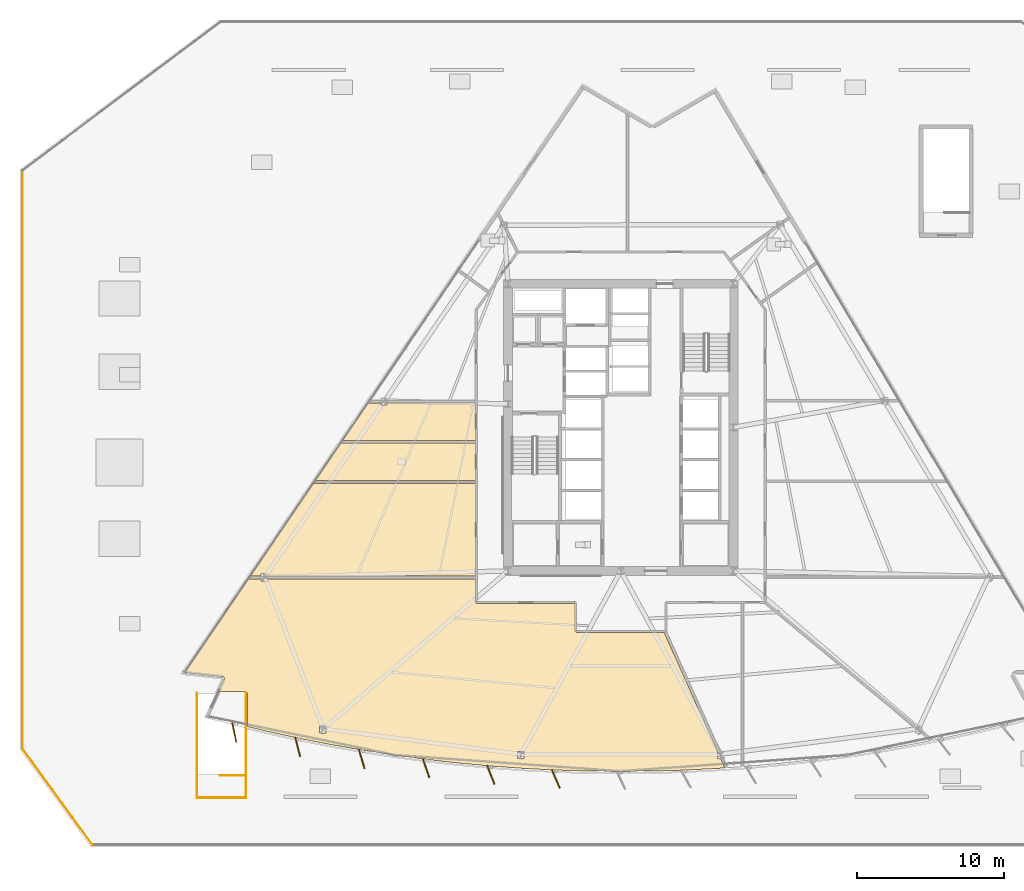
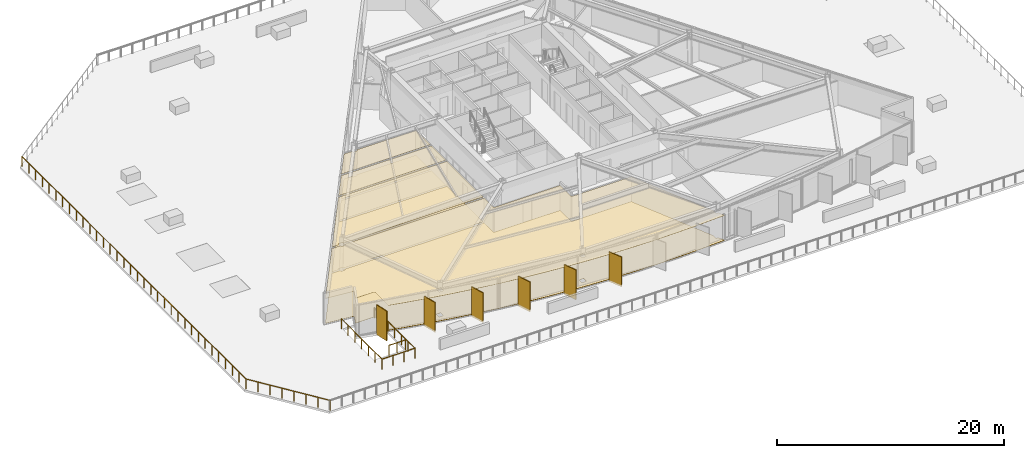
# One storey, part 13 of 19: 8 coverings, 6 railings, 6 shading devices.
"""IFC4 building model written with IfcOpenShell, lengths in metres."""

from ifc_helpers import new_model, si_unit, direction, frame, origin, origin_2d, place, context, subcontext, project, spatial, polyline, rectangle, circle, outline, extrude, material, layer, layer_set, type_object, element, save


model = new_model("IFC4")

# Units and contexts
model_context = context("Model", 3, precision=1e-05, world=origin(), true_north=direction((0.0, 1.0)))
body_context = subcontext(model_context, "Body", "Model", "MODEL_VIEW")
ifc_project = project(units=[si_unit("LENGTHUNIT", "METRE"), si_unit("AREAUNIT", "SQUARE_METRE"), si_unit("VOLUMEUNIT", "CUBIC_METRE"), si_unit("PLANEANGLEUNIT", "RADIAN"), si_unit("MASSUNIT", "GRAM", prefix="KILO")], contexts=[model_context])

# Site, building, storey
site_placement = place(None, origin())
site = spatial("IfcSite", under=ifc_project, at=site_placement, CompositionType="ELEMENT")
building_placement = place(site_placement, origin())
building = spatial("IfcBuilding", under=site, at=building_placement, Name="Savorim Split Tower", CompositionType="ELEMENT")
storey_placement = place(building_placement, frame((0.0, 0.0, 26.39990234375)))
storey = spatial("IfcBuildingStorey", under=building, at=storey_placement, Name="L06", CompositionType="ELEMENT", Elevation=26.39990234375)

# Coverings
ifc_material_1 = material(Name="Mineral Fibre Acoustic Ceiling")
ifc_layer_1 = layer(ifc_material_1, 0.02490234375)
ifc_layer_set_1 = layer_set([ifc_layer_1], Name="COV-CEIL-25")
covering_type_1 = type_object("IfcCoveringType", Name="COV-CEIL-25", PredefinedType="CEILING", material=ifc_layer_set_1)
covering_1_placement = place(storey_placement, frame((0.0, 0.0, 2.670166015625)))
element("IfcCovering", 1, at=covering_1_placement, inside=storey, type_object=covering_type_1, Name="L06 Shared Kitchen Acoustic Ceiling", PredefinedType="CEILING", context=body_context, shape_type="SweptSolid", body=[
    extrude(outline(polyline([(-19.116455078125, -0.6748046875), (-20.8583984375, -3.235595703125), (-9.919921875, -3.235595703125), (-9.919921875, -0.6748046875), (-19.116455078125, -0.6748046875)])), origin(), (0.0, 0.0, 1.0), 0.02490234375),
])
covering_2_placement = place(storey_placement, frame((0.0, 0.0, 2.670166015625)))
element("IfcCovering", 2, at=covering_2_placement, inside=storey, type_object=covering_type_1, Name="L06 Maker Workshop Acoustic Ceiling", PredefinedType="CEILING", context=body_context, shape_type="SweptSolid", body=[
    extrude(outline(polyline([(-24.12109375, -9.62255859375), (-24.12109375, -9.760498046875), (-9.919921875, -9.760498046875), (-9.919921875, -3.425537109375), (-20.98779296875, -3.425537109375), (-25.29736328125, -9.760498046875), (-24.55712890625, -9.760498046875), (-24.55712890625, -9.62255859375), (-24.12109375, -9.62255859375)])), origin(), (0.0, 0.0, 1.0), 0.02490234375),
])
covering_3_placement = place(storey_placement, frame((0.0, 0.0, 2.670166015625)))
element("IfcCovering", 3, at=covering_3_placement, inside=storey, type_object=covering_type_1, Name="L06 Co-Working Commons Acoustic Ceiling", PredefinedType="CEILING", context=body_context, shape_type="SweptSolid", body=[
    extrude(outline(polyline([(-27.05615234375, -16.739990234375), (-27.056884765625, -16.751708984375), (-27.05908203125, -16.763671875), (-27.0625, -16.77490234375), (-27.06689453125, -16.7861328125), (-27.4501953125, -17.6201171875), (-25.64990234375, -17.6201171875), (-25.63232421875, -17.620849609375), (-25.614990234375, -17.62353515625), (-25.59765625, -17.627685546875), (-25.5810546875, -17.6337890625), (-25.565185546875, -17.641357421875), (-25.550048828125, -17.650390625), (-25.535888671875, -17.660888671875), (-25.522705078125, -17.672607421875), (-25.510986328125, -17.685791015625), (-25.500244140625, -17.699951171875), (-25.4912109375, -17.715087890625), (-25.483642578125, -17.731201171875), (-25.477783203125, -17.747802734375), (-25.473388671875, -17.764892578125), (-25.470947265625, -17.782470703125), (-25.469970703125, -17.800048828125), (-25.469970703125, -20.025634765625), (-24.0849609375, -20.357666015625), (-21.927490234375, -20.82861328125), (-19.760986328125, -21.255126953125), (-17.586181640625, -21.63720703125), (-15.404296875, -21.974853515625), (-13.215576171875, -22.267578125), (-11.021484375, -22.515625), (-8.82275390625, -22.71875), (-6.6201171875, -22.876708984375), (-4.4150390625, -22.989501953125), (-2.2080078125, -23.057373046875), (0.0, -23.080078125), (2.2080078125, -23.057373046875), (4.4150390625, -22.989501953125), (6.6201171875, -22.876708984375), (7.107421875, -22.841796875), (6.81982421875, -22.201416015625), (6.601318359375, -22.201416015625), (6.601318359375, -21.735595703125), (6.610595703125, -21.735595703125), (2.966796875, -13.617919921875), (2.954345703125, -13.590087890625), (-3.0, -13.590087890625), (-3.013671875, -13.58935546875), (-3.02734375, -13.58740234375), (-3.04052734375, -13.583984375), (-3.0537109375, -13.579345703125), (-3.06591796875, -13.573486328125), (-3.077880859375, -13.56640625), (-3.0888671875, -13.55810546875), (-3.09912109375, -13.549072265625), (-3.108154296875, -13.538818359375), (-3.116455078125, -13.52783203125), (-3.12353515625, -13.51611328125), (-3.12939453125, -13.503662109375), (-3.134033203125, -13.490478515625), (-3.13720703125, -13.477294921875), (-3.139404296875, -13.463623046875), (-3.139892578125, -13.449951171875), (-3.139892578125, -11.6201171875), (-9.780029296875, -11.6201171875), (-9.793701171875, -11.619384765625), (-9.807373046875, -11.6171875), (-9.820556640625, -11.614013671875), (-9.83349609375, -11.609375), (-9.845947265625, -11.603515625), (-9.85791015625, -11.596435546875), (-9.868896484375, -11.588134765625), (-9.87890625, -11.5791015625), (-9.88818359375, -11.56884765625), (-9.896484375, -11.557861328125), (-9.903564453125, -11.5458984375), (-9.9091796875, -11.53369140625), (-9.9140625, -11.5205078125), (-9.917236328125, -11.50732421875), (-9.919189453125, -11.49365234375), (-9.919921875, -11.47998046875), (-9.919921875, -9.950439453125), (-24.12109375, -9.950439453125), (-24.12109375, -10.08837890625), (-24.55712890625, -10.08837890625), (-24.55712890625, -9.950439453125), (-25.301513671875, -9.950439453125), (-25.396484375, -9.950439453125), (-25.396484375, -9.90625), (-29.763916015625, -16.326416015625), (-27.16259765625, -16.61669921875), (-27.15087890625, -16.61865234375), (-27.139404296875, -16.62158203125), (-27.128173828125, -16.6259765625), (-27.117431640625, -16.631103515625), (-27.107421875, -16.637451171875), (-27.097900390625, -16.644775390625), (-27.08935546875, -16.653076171875), (-27.08154296875, -16.662109375), (-27.07470703125, -16.671875), (-27.068603515625, -16.68212890625), (-27.06396484375, -16.693115234375), (-27.060302734375, -16.70458984375), (-27.0576171875, -16.716064453125), (-27.056396484375, -16.72802734375), (-27.05615234375, -16.739990234375)]), holes=[polyline([(-20.56494140625, -20.464599609375), (-20.12890625, -20.464599609375), (-20.12890625, -19.998779296875), (-20.56494140625, -19.998779296875), (-20.56494140625, -20.464599609375)]), polyline([(-7.037353515625, -22.201416015625), (-6.601318359375, -22.201416015625), (-6.601318359375, -21.735595703125), (-7.037353515625, -21.735595703125), (-7.037353515625, -22.201416015625)])]), origin(), (0.0, 0.0, 1.0), 0.02490234375),
])
covering_4_placement = place(storey_placement, frame((0.0, 0.0, 2.670166015625)))
element("IfcCovering", 4, at=covering_4_placement, inside=storey, type_object=covering_type_1, Name="L06 Co-Living Bedroom Acoustic Ceiling", PredefinedType="CEILING", context=body_context, shape_type="SweptSolid", body=[
    extrude(outline(polyline([(-16.3759765625, 2.07568359375), (-17.1201171875, 2.07568359375), (-17.215087890625, 2.07568359375), (-17.215087890625, 2.1201171875), (-18.9873046875, -0.48486328125), (-9.919921875, -0.48486328125), (-9.919921875, 2.07568359375), (-15.93994140625, 2.07568359375), (-15.93994140625, 1.937744140625), (-16.3759765625, 1.937744140625), (-16.3759765625, 2.07568359375)])), origin(), (0.0, 0.0, 1.0), 0.02490234375),
])
ifc_material_2 = material(Name="Porcelain Stoneware Flooring", Category="masonry")
ifc_layer_2 = layer(ifc_material_2, 0.02001953125)
ifc_layer_set_2 = layer_set([ifc_layer_2], Name="COV-FLOR-20")
covering_type_2 = type_object("IfcCoveringType", Name="COV-FLOR-20", PredefinedType="FLOORING", material=ifc_layer_set_2)
covering_5_placement = place(storey_placement, origin())
element("IfcCovering", 5, at=covering_5_placement, inside=storey, type_object=covering_type_2, Name="L06 Shared Kitchen Porcelain Flooring", PredefinedType="FLOORING", context=body_context, shape_type="SweptSolid", body=[
    extrude(outline(polyline([(-19.116455078125, -0.6748046875), (-20.8583984375, -3.235595703125), (-9.919921875, -3.235595703125), (-9.919921875, -0.6748046875), (-19.116455078125, -0.6748046875)])), origin(), (0.0, 0.0, 1.0), 0.02001953125),
])
covering_6_placement = place(storey_placement, origin())
element("IfcCovering", 6, at=covering_6_placement, inside=storey, type_object=covering_type_2, Name="L06 Maker Workshop Porcelain Flooring", PredefinedType="FLOORING", context=body_context, shape_type="SweptSolid", body=[
    extrude(outline(polyline([(-24.12109375, -9.62255859375), (-24.12109375, -9.760498046875), (-9.919921875, -9.760498046875), (-9.919921875, -3.425537109375), (-20.98779296875, -3.425537109375), (-25.29736328125, -9.760498046875), (-24.55712890625, -9.760498046875), (-24.55712890625, -9.62255859375), (-24.12109375, -9.62255859375)])), origin(), (0.0, 0.0, 1.0), 0.02001953125),
])
covering_7_placement = place(storey_placement, origin())
element("IfcCovering", 7, at=covering_7_placement, inside=storey, type_object=covering_type_2, Name="L06 Co-Working Commons Porcelain Flooring", PredefinedType="FLOORING", context=body_context, shape_type="SweptSolid", body=[
    extrude(outline(polyline([(-27.05615234375, -16.739990234375), (-27.056884765625, -16.751708984375), (-27.05908203125, -16.763671875), (-27.0625, -16.77490234375), (-27.06689453125, -16.7861328125), (-27.4501953125, -17.6201171875), (-25.64990234375, -17.6201171875), (-25.63232421875, -17.620849609375), (-25.614990234375, -17.62353515625), (-25.59765625, -17.627685546875), (-25.5810546875, -17.6337890625), (-25.565185546875, -17.641357421875), (-25.550048828125, -17.650390625), (-25.535888671875, -17.660888671875), (-25.522705078125, -17.672607421875), (-25.510986328125, -17.685791015625), (-25.500244140625, -17.699951171875), (-25.4912109375, -17.715087890625), (-25.483642578125, -17.731201171875), (-25.477783203125, -17.747802734375), (-25.473388671875, -17.764892578125), (-25.470947265625, -17.782470703125), (-25.469970703125, -17.800048828125), (-25.469970703125, -20.025634765625), (-24.0849609375, -20.357666015625), (-21.927490234375, -20.82861328125), (-19.760986328125, -21.255126953125), (-17.586181640625, -21.63720703125), (-15.404296875, -21.974853515625), (-13.215576171875, -22.267578125), (-11.021484375, -22.515625), (-8.82275390625, -22.71875), (-6.6201171875, -22.876708984375), (-4.4150390625, -22.989501953125), (-2.2080078125, -23.057373046875), (0.0, -23.080078125), (2.2080078125, -23.057373046875), (4.4150390625, -22.989501953125), (6.6201171875, -22.876708984375), (7.107421875, -22.841796875), (6.81982421875, -22.201416015625), (6.601318359375, -22.201416015625), (6.601318359375, -21.735595703125), (6.610595703125, -21.735595703125), (2.966796875, -13.617919921875), (2.954345703125, -13.590087890625), (-3.0, -13.590087890625), (-3.013671875, -13.58935546875), (-3.02734375, -13.58740234375), (-3.04052734375, -13.583984375), (-3.0537109375, -13.579345703125), (-3.06591796875, -13.573486328125), (-3.077880859375, -13.56640625), (-3.0888671875, -13.55810546875), (-3.09912109375, -13.549072265625), (-3.108154296875, -13.538818359375), (-3.116455078125, -13.52783203125), (-3.12353515625, -13.51611328125), (-3.12939453125, -13.503662109375), (-3.134033203125, -13.490478515625), (-3.13720703125, -13.477294921875), (-3.139404296875, -13.463623046875), (-3.139892578125, -13.449951171875), (-3.139892578125, -11.6201171875), (-9.780029296875, -11.6201171875), (-9.793701171875, -11.619384765625), (-9.807373046875, -11.6171875), (-9.820556640625, -11.614013671875), (-9.83349609375, -11.609375), (-9.845947265625, -11.603515625), (-9.85791015625, -11.596435546875), (-9.868896484375, -11.588134765625), (-9.87890625, -11.5791015625), (-9.88818359375, -11.56884765625), (-9.896484375, -11.557861328125), (-9.903564453125, -11.5458984375), (-9.9091796875, -11.53369140625), (-9.9140625, -11.5205078125), (-9.917236328125, -11.50732421875), (-9.919189453125, -11.49365234375), (-9.919921875, -11.47998046875), (-9.919921875, -9.950439453125), (-24.12109375, -9.950439453125), (-24.12109375, -10.08837890625), (-24.55712890625, -10.08837890625), (-24.55712890625, -9.950439453125), (-25.301513671875, -9.950439453125), (-25.396484375, -9.950439453125), (-25.396484375, -9.90625), (-29.763916015625, -16.326416015625), (-27.16259765625, -16.61669921875), (-27.15087890625, -16.61865234375), (-27.139404296875, -16.62158203125), (-27.128173828125, -16.6259765625), (-27.117431640625, -16.631103515625), (-27.107421875, -16.637451171875), (-27.097900390625, -16.644775390625), (-27.08935546875, -16.653076171875), (-27.08154296875, -16.662109375), (-27.07470703125, -16.671875), (-27.068603515625, -16.68212890625), (-27.06396484375, -16.693115234375), (-27.060302734375, -16.70458984375), (-27.0576171875, -16.716064453125), (-27.056396484375, -16.72802734375), (-27.05615234375, -16.739990234375)]), holes=[polyline([(-20.56494140625, -20.464599609375), (-20.12890625, -20.464599609375), (-20.12890625, -19.998779296875), (-20.56494140625, -19.998779296875), (-20.56494140625, -20.464599609375)]), polyline([(-7.037353515625, -22.201416015625), (-6.601318359375, -22.201416015625), (-6.601318359375, -21.735595703125), (-7.037353515625, -21.735595703125), (-7.037353515625, -22.201416015625)])]), origin(), (0.0, 0.0, 1.0), 0.02001953125),
])
covering_8_placement = place(storey_placement, origin())
element("IfcCovering", 8, at=covering_8_placement, inside=storey, type_object=covering_type_2, Name="L06 Co-Living Bedroom Porcelain Flooring", PredefinedType="FLOORING", context=body_context, shape_type="SweptSolid", body=[
    extrude(outline(polyline([(-16.3759765625, 2.07568359375), (-17.1201171875, 2.07568359375), (-17.215087890625, 2.07568359375), (-17.215087890625, 2.1201171875), (-18.9873046875, -0.48486328125), (-9.919921875, -0.48486328125), (-9.919921875, 2.07568359375), (-15.93994140625, 2.07568359375), (-15.93994140625, 1.937744140625), (-16.3759765625, 1.937744140625), (-16.3759765625, 2.07568359375)])), origin(), (0.0, 0.0, 1.0), 0.02001953125),
])

# Railings
ifc_material_3 = material(Name="Galvanised Painted Steel Balustrade", Category="steel")
railing_type_1 = type_object("IfcRailingType", Name="RLG-BAL-1100", PredefinedType="BALUSTRADE", material=ifc_material_3)
railing_1_placement = place(storey_placement, frame((-40.8359375, 17.927978515625, 0.0)))
element("IfcRailing", 9, at=railing_1_placement, inside=storey, type_object=railing_type_1, Name="L06 Raised Public Garden Perimeter Balustrade 7", PredefinedType="BALUSTRADE", context=body_context, shape_type="SweptSolid", body=[
    extrude(circle(Radius=0.02392578125, at=origin_2d()), frame((0.0, 0.0, 1.076171875), z_axis=(0.0, -1.0, 0.0), x_axis=(1.0, 0.0, 0.0)), (0.0, 0.0, 1.0), 39.441650390625),
    extrude(circle(Radius=0.02099609375, at=origin_2d()), origin(), (0.0, 0.0, 1.0), 1.052001953125),
    extrude(circle(Radius=0.02099609375, at=origin_2d()), frame((0.0, -1.1953125, 0.0)), (0.0, 0.0, 1.0), 1.052001953125),
    extrude(circle(Radius=0.02099609375, at=origin_2d()), frame((0.0, -2.390380859375, 0.0)), (0.0, 0.0, 1.0), 1.052001953125),
    extrude(circle(Radius=0.02099609375, at=origin_2d()), frame((0.0, -3.585693359375, 0.0)), (0.0, 0.0, 1.0), 1.052001953125),
    extrude(circle(Radius=0.02099609375, at=origin_2d()), frame((0.0, -4.78076171875, 0.0)), (0.0, 0.0, 1.0), 1.052001953125),
    extrude(circle(Radius=0.02099609375, at=origin_2d()), frame((0.0, -5.97607421875, 0.0)), (0.0, 0.0, 1.0), 1.052001953125),
    extrude(circle(Radius=0.02099609375, at=origin_2d()), frame((0.0, -7.171142578125, 0.0)), (0.0, 0.0, 1.0), 1.052001953125),
    extrude(circle(Radius=0.02099609375, at=origin_2d()), frame((0.0, -8.366455078125, 0.0)), (0.0, 0.0, 1.0), 1.052001953125),
    extrude(circle(Radius=0.02099609375, at=origin_2d()), frame((0.0, -9.5615234375, 0.0)), (0.0, 0.0, 1.0), 1.052001953125),
    extrude(circle(Radius=0.02099609375, at=origin_2d()), frame((0.0, -10.7568359375, 0.0)), (0.0, 0.0, 1.0), 1.052001953125),
    extrude(circle(Radius=0.02099609375, at=origin_2d()), frame((0.0, -11.951904296875, 0.0)), (0.0, 0.0, 1.0), 1.052001953125),
    extrude(circle(Radius=0.02099609375, at=origin_2d()), frame((0.0, -13.147216796875, 0.0)), (0.0, 0.0, 1.0), 1.052001953125),
    extrude(circle(Radius=0.02099609375, at=origin_2d()), frame((0.0, -14.342529296875, 0.0)), (0.0, 0.0, 1.0), 1.052001953125),
    extrude(circle(Radius=0.02099609375, at=origin_2d()), frame((0.0, -15.53759765625, 0.0)), (0.0, 0.0, 1.0), 1.052001953125),
    extrude(circle(Radius=0.02099609375, at=origin_2d()), frame((0.0, -16.73291015625, 0.0)), (0.0, 0.0, 1.0), 1.052001953125),
    extrude(circle(Radius=0.02099609375, at=origin_2d()), frame((0.0, -17.927978515625, 0.0)), (0.0, 0.0, 1.0), 1.052001953125),
    extrude(circle(Radius=0.02099609375, at=origin_2d()), frame((0.0, -19.123291015625, 0.0)), (0.0, 0.0, 1.0), 1.052001953125),
    extrude(circle(Radius=0.02099609375, at=origin_2d()), frame((0.0, -20.318359375, 0.0)), (0.0, 0.0, 1.0), 1.052001953125),
    extrude(circle(Radius=0.02099609375, at=origin_2d()), frame((0.0, -21.513671875, 0.0)), (0.0, 0.0, 1.0), 1.052001953125),
    extrude(circle(Radius=0.02099609375, at=origin_2d()), frame((0.0, -22.708740234375, 0.0)), (0.0, 0.0, 1.0), 1.052001953125),
    extrude(circle(Radius=0.02099609375, at=origin_2d()), frame((0.0, -23.904052734375, 0.0)), (0.0, 0.0, 1.0), 1.052001953125),
    extrude(circle(Radius=0.02099609375, at=origin_2d()), frame((0.0, -25.09912109375, 0.0)), (0.0, 0.0, 1.0), 1.052001953125),
    extrude(circle(Radius=0.02099609375, at=origin_2d()), frame((0.0, -26.29443359375, 0.0)), (0.0, 0.0, 1.0), 1.052001953125),
    extrude(circle(Radius=0.02099609375, at=origin_2d()), frame((0.0, -27.48974609375, 0.0)), (0.0, 0.0, 1.0), 1.052001953125),
    extrude(circle(Radius=0.02099609375, at=origin_2d()), frame((0.0, -28.684814453125, 0.0)), (0.0, 0.0, 1.0), 1.052001953125),
    extrude(circle(Radius=0.02099609375, at=origin_2d()), frame((0.0, -29.880126953125, 0.0)), (0.0, 0.0, 1.0), 1.052001953125),
    extrude(circle(Radius=0.02099609375, at=origin_2d()), frame((0.0, -31.0751953125, 0.0)), (0.0, 0.0, 1.0), 1.052001953125),
    extrude(circle(Radius=0.02099609375, at=origin_2d()), frame((0.0, -32.2705078125, 0.0)), (0.0, 0.0, 1.0), 1.052001953125),
    extrude(circle(Radius=0.02099609375, at=origin_2d()), frame((0.0, -33.465576171875, 0.0)), (0.0, 0.0, 1.0), 1.052001953125),
    extrude(circle(Radius=0.02099609375, at=origin_2d()), frame((0.0, -34.660888671875, 0.0)), (0.0, 0.0, 1.0), 1.052001953125),
    extrude(circle(Radius=0.02099609375, at=origin_2d()), frame((0.0, -35.85595703125, 0.0)), (0.0, 0.0, 1.0), 1.052001953125),
    extrude(circle(Radius=0.02099609375, at=origin_2d()), frame((0.0, -37.05126953125, 0.0)), (0.0, 0.0, 1.0), 1.052001953125),
    extrude(circle(Radius=0.02099609375, at=origin_2d()), frame((0.0, -38.246337890625, 0.0)), (0.0, 0.0, 1.0), 1.052001953125),
    extrude(circle(Radius=0.02099609375, at=origin_2d()), frame((0.0, -39.441650390625, 0.0)), (0.0, 0.0, 1.0), 1.052001953125),
])
railing_2_placement = place(storey_placement, frame((-40.8359375, -21.513671875, 0.0)))
element("IfcRailing", 10, at=railing_2_placement, inside=storey, type_object=railing_type_1, Name="L06 Raised Public Garden Perimeter Balustrade 8", PredefinedType="BALUSTRADE", context=body_context, shape_type="SweptSolid", body=[
    extrude(circle(Radius=0.02392578125, at=origin_2d()), frame((0.0, 0.0, 1.076171875), z_axis=(0.588175269581, -0.808733486542, 0.0), x_axis=(0.808733486542, 0.588175269581, 0.0)), (0.0, 0.0, 1.0), 8.128173828125),
    extrude(circle(Radius=0.02099609375, at=origin_2d()), origin(), (0.0, 0.0, 1.0), 1.052001953125),
    extrude(circle(Radius=0.02099609375, at=origin_2d()), frame((0.682861328125, -0.93896484375, 0.0)), (0.0, 0.0, 1.0), 1.052001953125),
    extrude(circle(Radius=0.02099609375, at=origin_2d()), frame((1.365966796875, -1.878173828125, 0.0)), (0.0, 0.0, 1.0), 1.052001953125),
    extrude(circle(Radius=0.02099609375, at=origin_2d()), frame((2.048828125, -2.817138671875, 0.0)), (0.0, 0.0, 1.0), 1.052001953125),
    extrude(circle(Radius=0.02099609375, at=origin_2d()), frame((2.73193359375, -3.75634765625, 0.0)), (0.0, 0.0, 1.0), 1.052001953125),
    extrude(circle(Radius=0.02099609375, at=origin_2d()), frame((3.414794921875, -4.6953125, 0.0)), (0.0, 0.0, 1.0), 1.052001953125),
    extrude(circle(Radius=0.02099609375, at=origin_2d()), frame((4.097900390625, -5.634521484375, 0.0)), (0.0, 0.0, 1.0), 1.052001953125),
    extrude(circle(Radius=0.02099609375, at=origin_2d()), frame((4.78076171875, -6.573486328125, 0.0)), (0.0, 0.0, 1.0), 1.052001953125),
])
railing_3_placement = place(storey_placement, frame((-25.570068359375, -24.8798828125, 0.0)))
element("IfcRailing", 11, at=railing_3_placement, inside=storey, type_object=railing_type_1, Name="L06 Exterior Garden Stair Well Guard 1", PredefinedType="BALUSTRADE", context=body_context, shape_type="SweptSolid", body=[
    extrude(circle(Radius=0.02392578125, at=origin_2d()), frame((0.0, 0.0, 1.076171875), z_axis=(0.0, 1.0, 0.0), x_axis=(-1.0, 0.0, 0.0)), (0.0, 0.0, 1.0), 7.159912109375),
    extrude(circle(Radius=0.02099609375, at=origin_2d()), origin(), (0.0, 0.0, 1.0), 1.052001953125),
    extrude(circle(Radius=0.02099609375, at=origin_2d()), frame((0.0, 1.193359375, 0.0)), (0.0, 0.0, 1.0), 1.052001953125),
    extrude(circle(Radius=0.02099609375, at=origin_2d()), frame((0.0, 2.38671875, 0.0)), (0.0, 0.0, 1.0), 1.052001953125),
    extrude(circle(Radius=0.02099609375, at=origin_2d()), frame((0.0, 3.580078125, 0.0)), (0.0, 0.0, 1.0), 1.052001953125),
    extrude(circle(Radius=0.02099609375, at=origin_2d()), frame((0.0, 4.773193359375, 0.0)), (0.0, 0.0, 1.0), 1.052001953125),
    extrude(circle(Radius=0.02099609375, at=origin_2d()), frame((0.0, 5.966552734375, 0.0)), (0.0, 0.0, 1.0), 1.052001953125),
    extrude(circle(Radius=0.02099609375, at=origin_2d()), frame((0.0, 7.159912109375, 0.0)), (0.0, 0.0, 1.0), 1.052001953125),
])
railing_4_placement = place(storey_placement, frame((-28.929931640625, -17.719970703125, 0.0)))
element("IfcRailing", 12, at=railing_4_placement, inside=storey, type_object=railing_type_1, Name="L06 Exterior Garden Stair Well Guard 2", PredefinedType="BALUSTRADE", context=body_context, shape_type="SweptSolid", body=[
    extrude(circle(Radius=0.02392578125, at=origin_2d()), frame((0.0, 0.0, 1.076171875), z_axis=(0.0, -1.0, 0.0), x_axis=(1.0, 0.0, 0.0)), (0.0, 0.0, 1.0), 7.159912109375),
    extrude(circle(Radius=0.02099609375, at=origin_2d()), origin(), (0.0, 0.0, 1.0), 1.052001953125),
    extrude(circle(Radius=0.02099609375, at=origin_2d()), frame((0.0, -1.193359375, 0.0)), (0.0, 0.0, 1.0), 1.052001953125),
    extrude(circle(Radius=0.02099609375, at=origin_2d()), frame((0.0, -2.38671875, 0.0)), (0.0, 0.0, 1.0), 1.052001953125),
    extrude(circle(Radius=0.02099609375, at=origin_2d()), frame((0.0, -3.580078125, 0.0)), (0.0, 0.0, 1.0), 1.052001953125),
    extrude(circle(Radius=0.02099609375, at=origin_2d()), frame((0.0, -4.773193359375, 0.0)), (0.0, 0.0, 1.0), 1.052001953125),
    extrude(circle(Radius=0.02099609375, at=origin_2d()), frame((0.0, -5.966552734375, 0.0)), (0.0, 0.0, 1.0), 1.052001953125),
    extrude(circle(Radius=0.02099609375, at=origin_2d()), frame((0.0, -7.159912109375, 0.0)), (0.0, 0.0, 1.0), 1.052001953125),
])
railing_5_placement = place(storey_placement, frame((-28.929931640625, -24.8798828125, 0.0)))
element("IfcRailing", 13, at=railing_5_placement, inside=storey, type_object=railing_type_1, Name="L06 Exterior Garden Stair Well Guard 3", PredefinedType="BALUSTRADE", context=body_context, shape_type="SweptSolid", body=[
    extrude(circle(Radius=0.02392578125, at=origin_2d()), frame((0.0, 0.0, 1.076171875), z_axis=(1.0, 0.0, 0.0), x_axis=(0.0, 1.0, 0.0)), (0.0, 0.0, 1.0), 3.35986328125),
    extrude(circle(Radius=0.02099609375, at=origin_2d()), origin(), (0.0, 0.0, 1.0), 1.052001953125),
    extrude(circle(Radius=0.02099609375, at=origin_2d()), frame((1.119873046875, 0.0, 0.0)), (0.0, 0.0, 1.0), 1.052001953125),
    extrude(circle(Radius=0.02099609375, at=origin_2d()), frame((2.239990234375, 0.0, 0.0)), (0.0, 0.0, 1.0), 1.052001953125),
    extrude(circle(Radius=0.02099609375, at=origin_2d()), frame((3.35986328125, 0.0, 0.0)), (0.0, 0.0, 1.0), 1.052001953125),
])
railing_type_2 = type_object("IfcRailingType", Name="RLG-STG-1100", PredefinedType="BALUSTRADE", material=ifc_material_3)
railing_6_placement = place(storey_placement, frame((-25.64990234375, -23.35009765625, 0.0)))
element("IfcRailing", 14, at=railing_6_placement, inside=storey, type_object=railing_type_2, Name="L06 ST-GDN top well guard 1", PredefinedType="BALUSTRADE", context=body_context, shape_type="SweptSolid", body=[
    extrude(circle(Radius=0.02392578125, at=origin_2d()), frame((0.0, 0.0, 1.076171875), z_axis=(-1.0, 0.0, 0.0), x_axis=(0.0, -1.0, 0.0)), (0.0, 0.0, 1.0), 1.7001953125),
    extrude(circle(Radius=0.02099609375, at=origin_2d()), origin(), (0.0, 0.0, 1.0), 1.052001953125),
    extrude(circle(Radius=0.02099609375, at=origin_2d()), frame((-0.85009765625, 0.0, 0.0)), (0.0, 0.0, 1.0), 1.052001953125),
    extrude(circle(Radius=0.02099609375, at=origin_2d()), frame((-1.7001953125, 0.0, 0.0)), (0.0, 0.0, 1.0), 1.052001953125),
])

# Shading devices
ifc_material_4 = material(Name="Terracotta Ceramic-Coated Aluminium Fin", Category="masonry")
shading_device_type = type_object("IfcShadingDeviceType", Name="SHD-FIN-1360", PredefinedType="USERDEFINED", material=ifc_material_4)
for number, where, z_axis, x_axis, name in (
    (15, (-26.377197265625, -20.4208984375, -0.19970703125), (0.0, 0.0, 1.0), (0.206721626106, -0.978399800337, 0.0), "L06 Sawtooth Shading Fin 01"),
    (16, (-22.048583984375, -21.412109375, -0.19970703125), (0.0, 0.0, 1.0), (0.246581250663, -0.969122121727, 0.0), "L06 Sawtooth Shading Fin 02"),
    (17, (-17.68359375, -22.225341796875, -0.19970703125), (0.0, 0.0, 1.0), (0.286026212504, -0.958221793616, 0.0), "L06 Sawtooth Shading Fin 03"),
    (18, (-13.28857421875, -22.859130859375, -0.19970703125), (0.0, 0.0, 1.0), (0.324993810493, -0.945716143005, 0.0), "L06 Sawtooth Shading Fin 04"),
    (19, (-8.871337890625, -23.312744140625, -0.19970703125), (0.0, 0.0, 1.0), (0.363415461732, -0.931627179817, 0.0), "L06 Sawtooth Shading Fin 05"),
    (20, (-4.439453125, -23.585205078125, -0.19970703125), (0.0, 0.0, 1.0), (0.401230091723, -0.915977299662, 0.0), "L06 Sawtooth Shading Fin 06"),
):
    element("IfcShadingDevice", number, at=place(storey_placement, frame(where, z_axis=z_axis, x_axis=x_axis)), inside=storey, type_object=shading_device_type, Name=name, ObjectType="FIN", PredefinedType="USERDEFINED", context=body_context, shape_type="SweptSolid", body=[
        extrude(rectangle(XDim=1.360107421875, YDim=0.080078125, at=origin_2d()), origin(), (0.0, 0.0, 1.0), 3.199951171875),
    ])

save(model, "model.ifc")
